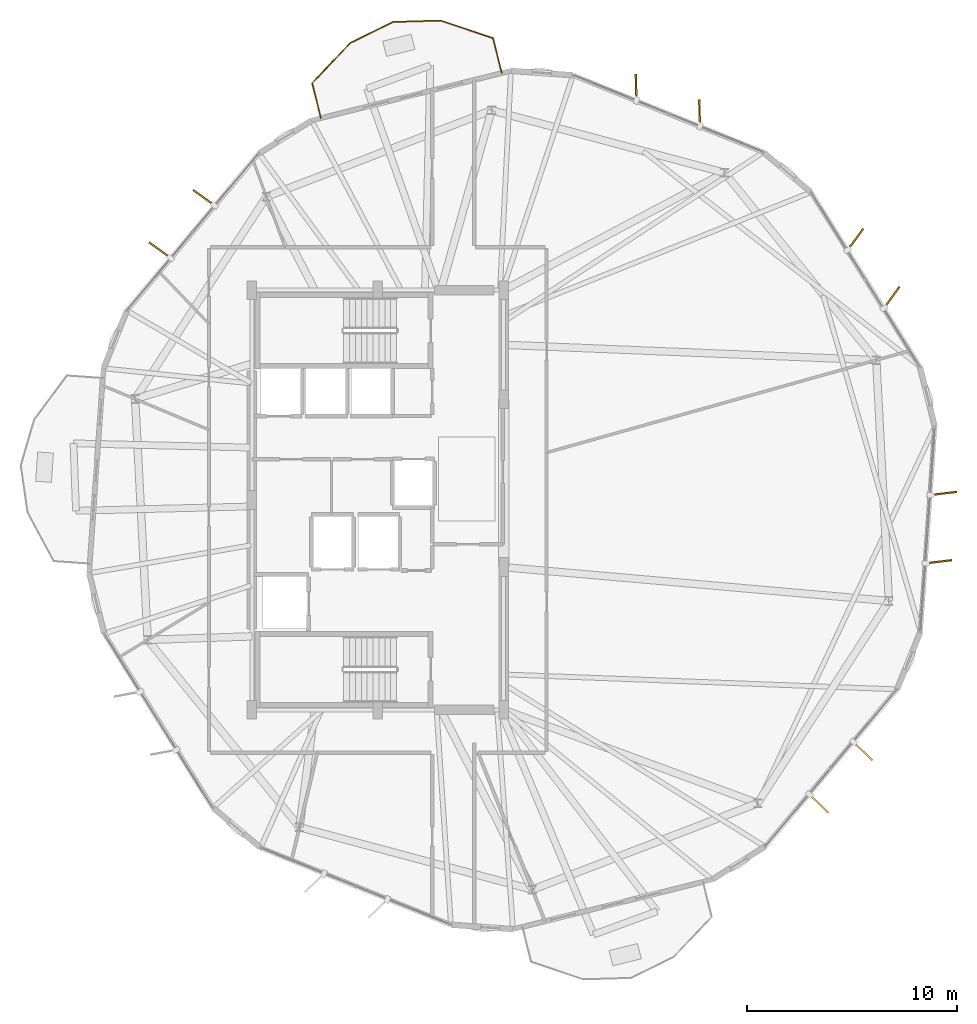
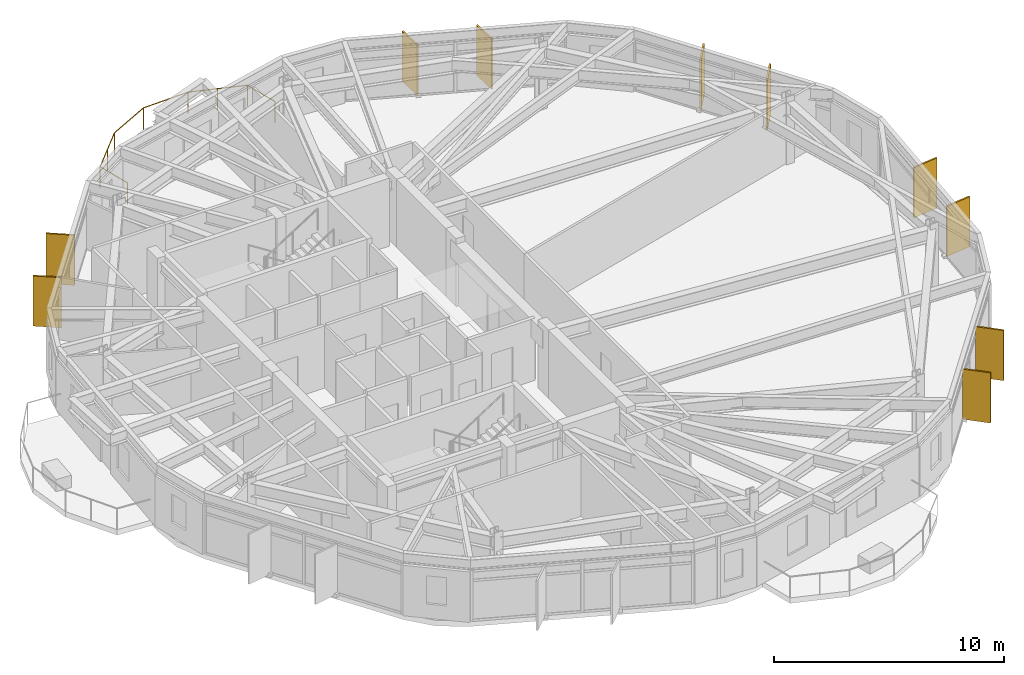
# One storey, part 23 of 23: 10 shading devices, 1 railing.
"""IFC4 building model written with IfcOpenShell, lengths in metres."""

from ifc_helpers import new_model, si_unit, direction, frame, origin, origin_2d, place, context, subcontext, project, spatial, rectangle, circle, extrude, material, layer, layer_set, type_object, element, save


model = new_model("IFC4")

# Units and contexts
model_context = context("Model", 3, precision=1e-05, world=origin(), true_north=direction((0.0, 1.0)))
body_context = subcontext(model_context, "Body", "Model", "MODEL_VIEW")
ifc_project = project(units=[si_unit("LENGTHUNIT", "METRE"), si_unit("AREAUNIT", "SQUARE_METRE"), si_unit("VOLUMEUNIT", "CUBIC_METRE"), si_unit("PLANEANGLEUNIT", "RADIAN"), si_unit("MASSUNIT", "GRAM", prefix="KILO")], contexts=[model_context])

# Site, building, storey
site_placement = place(None, origin())
site = spatial("IfcSite", under=ifc_project, at=site_placement, CompositionType="ELEMENT")
building_placement = place(site_placement, origin())
building = spatial("IfcBuilding", under=site, at=building_placement, Name="Soratama Intermodal Tower", CompositionType="ELEMENT")
storey_placement = place(building_placement, frame((0.0, 0.0, 215.800048828125)))
storey = spatial("IfcBuildingStorey", under=building, at=storey_placement, Name="L54", CompositionType="ELEMENT", Elevation=215.800048828125)

# Railing
ifc_material_1 = material(Name="Laminated glass and stainless steel balustrade", Category="steel")
railing_type = type_object("IfcRailingType", Name="RL-BAL-1150", PredefinedType="BALUSTRADE", material=ifc_material_1)
railing_placement = place(storey_placement, frame((35.88720703125, 43.20361328125, 0.0)))
element("IfcRailing", 1, at=railing_placement, inside=storey, type_object=railing_type, Name="L54 Balcony Balustrade 1", PredefinedType="BALUSTRADE", context=body_context, shape_type="SweptSolid", body=[
    extrude(circle(Radius=0.02392578125, at=origin_2d()), frame((0.0, 0.0, 1.1259765625), z_axis=(-0.241567031949, 0.970384134802, 0.0), x_axis=(-0.970384134802, -0.241567031949, 0.0)), (0.0, 0.0, 1.0), 1.72021484375),
    extrude(circle(Radius=0.02392578125, at=origin_2d()), frame((-0.41552734375, 1.669189453125, 1.1259765625), z_axis=(0.688807902629, 0.724943910434, 0.0), x_axis=(-0.724943910434, 0.688807902629, 0.0)), (0.0, 0.0, 1.0), 2.635009765625),
    extrude(circle(Radius=0.02392578125, at=origin_2d()), frame((1.3994140625, 3.579345703125, 1.1259765625), z_axis=(0.896605933264, 0.442829312982, 0.0), x_axis=(-0.442829312982, 0.896605933264, 0.0)), (0.0, 0.0, 1.0), 2.274658203125),
    extrude(circle(Radius=0.02392578125, at=origin_2d()), frame((3.43896484375, 4.586669921875, 1.1259765625), z_axis=(0.999573854735, 0.029190904927, 0.0), x_axis=(-0.029190904927, 0.999573854735, 0.0)), (0.0, 0.0, 1.0), 2.27490234375),
    extrude(circle(Radius=0.02392578125, at=origin_2d()), frame((5.712890625, 4.653076171875, 1.1259765625), z_axis=(0.948302699294, -0.317367280153, 0.0), x_axis=(0.317367280153, 0.948302699294, 0.0)), (0.0, 0.0, 1.0), 2.634765625),
    extrude(circle(Radius=0.02392578125, at=origin_2d()), frame((8.21142578125, 3.81689453125, 1.1259765625), z_axis=(0.241567031949, -0.970384134802, 0.0), x_axis=(0.970384134802, 0.241567031949, 0.0)), (0.0, 0.0, 1.0), 1.72021484375),
    extrude(circle(Radius=0.02099609375, at=origin_2d()), origin(), (0.0, 0.0, 1.0), 1.101806640625),
    extrude(circle(Radius=0.02099609375, at=origin_2d()), frame((-0.41552734375, 1.669189453125, 0.0)), (0.0, 0.0, 1.0), 1.101806640625),
    extrude(circle(Radius=0.02099609375, at=origin_2d()), frame((0.491943359375, 2.624267578125, 0.0)), (0.0, 0.0, 1.0), 1.101806640625),
    extrude(circle(Radius=0.02099609375, at=origin_2d()), frame((1.3994140625, 3.579345703125, 0.0)), (0.0, 0.0, 1.0), 1.101806640625),
    extrude(circle(Radius=0.02099609375, at=origin_2d()), frame((3.43896484375, 4.586669921875, 0.0)), (0.0, 0.0, 1.0), 1.101806640625),
    extrude(circle(Radius=0.02099609375, at=origin_2d()), frame((5.712890625, 4.653076171875, 0.0)), (0.0, 0.0, 1.0), 1.101806640625),
    extrude(circle(Radius=0.02099609375, at=origin_2d()), frame((6.962158203125, 4.23486328125, 0.0)), (0.0, 0.0, 1.0), 1.101806640625),
    extrude(circle(Radius=0.02099609375, at=origin_2d()), frame((8.21142578125, 3.81689453125, 0.0)), (0.0, 0.0, 1.0), 1.101806640625),
    extrude(circle(Radius=0.02099609375, at=origin_2d()), frame((8.626953125, 2.147705078125, 0.0)), (0.0, 0.0, 1.0), 1.101806640625),
])

# Shading devices
ifc_material_2 = material(Name="Champagne anodised aluminium solar fin", Category="aluminium")
ifc_layer = layer(ifc_material_2, 0.080078125)
ifc_layer_set = layer_set([ifc_layer], Name="Champagne anodised aluminium solar fin")
shading_device_type = type_object("IfcShadingDeviceType", Name="SH-FIN-1250", PredefinedType="USERDEFINED", material=ifc_layer_set)
for number, where, z_axis, x_axis, name in (
    (2, (53.942138671875, 43.44970703125, 0.02001953125), (0.0, 0.0, 1.0), (-0.029317330072, 0.999570154695, 0.0), "L54 Solar Fin F01-1"),
    (3, (50.916748046875, 44.67333984375, 0.02001953125), (0.0, 0.0, 1.0), (-0.029317330072, 0.999570154695, 0.0), "L54 Solar Fin F01-2"),
    (4, (30.315673828125, 39.406005859375, 0.02001953125), (0.0, 0.0, 1.0), (-0.806238149135, 0.591591114605, 0.0), "L54 Solar Fin F03-1"),
    (5, (28.217041015625, 36.90673828125, 0.02001953125), (0.0, 0.0, 1.0), (-0.806238149135, 0.591591114605, 0.0), "L54 Solar Fin F03-2"),
    (6, (59.630126953125, 10.529296875, 0.02001953125), (0.0, 0.0, 1.0), (0.722122534463, -0.691765166238, 0.0), "L54 Solar Fin F08-1"),
    (7, (61.728759765625, 13.028564453125, 0.02001953125), (0.0, 0.0, 1.0), (0.722122534463, -0.691765166238, 0.0), "L54 Solar Fin F08-2"),
    (8, (65.343017578125, 22.056884765625, 0.02001953125), (0.0, 0.0, 1.0), (0.992799217114, 0.119790293837, 0.0), "L54 Solar Fin F09-1"),
    (9, (65.572021484375, 25.312255859375, 0.02001953125), (0.0, 0.0, 1.0), (0.992799217114, 0.119790293837, 0.0), "L54 Solar Fin F09-2"),
    (10, (63.10009765625, 34.65478515625, 0.02001953125), (0.0, 0.0, 1.0), (0.596785201953, 0.802401036097, 0.0), "L54 Solar Fin F10-1"),
    (11, (61.37158203125, 37.423095703125, 0.02001953125), (0.0, 0.0, 1.0), (0.596785201953, 0.802401036097, 0.0), "L54 Solar Fin F10-2"),
):
    element("IfcShadingDevice", number, at=place(storey_placement, frame(where, z_axis=z_axis, x_axis=x_axis)), inside=storey, type_object=shading_device_type, Name=name, ObjectType="FIN", PredefinedType="USERDEFINED", context=body_context, shape_type="SweptSolid", body=[
        extrude(rectangle(XDim=1.25, YDim=0.080078125, at=origin_2d()), origin(), (0.0, 0.0, 1.0), 2.658935546875),
    ])

save(model, "model.ifc")
